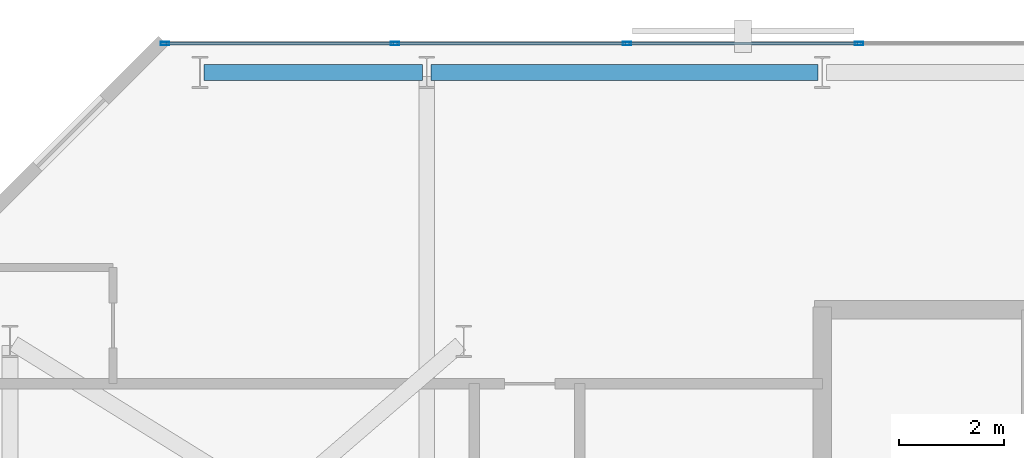
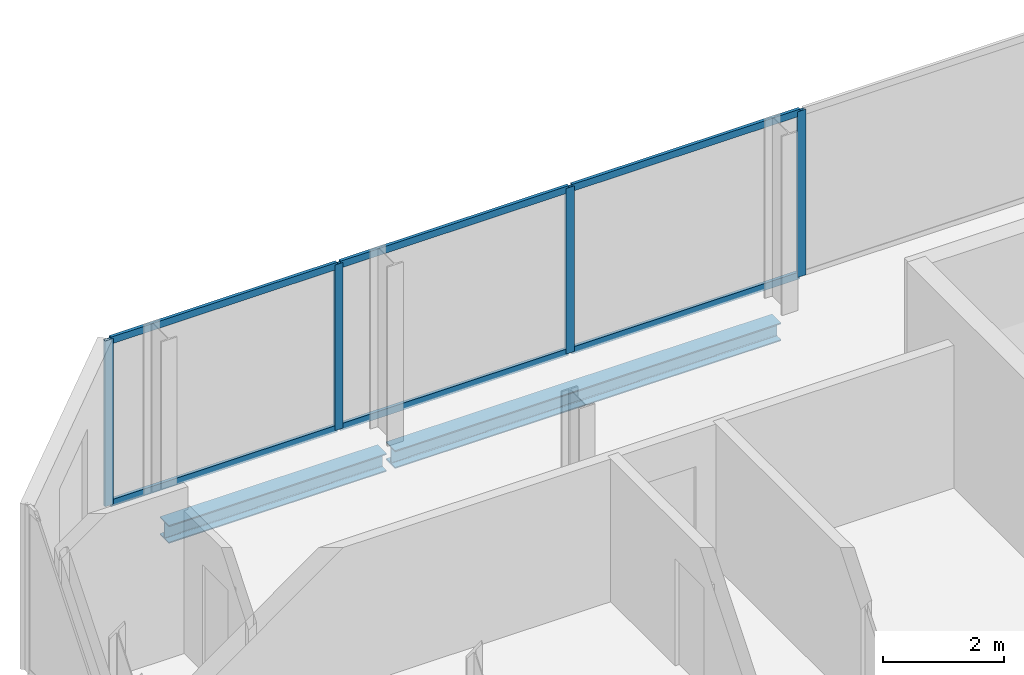
# One storey, part 19 of 32: 10 members, 2 beams, 1 element without a shape of its own.
"""IFC4 building model written with IfcOpenShell, lengths in metres."""

import ifcopenshell
import ifcopenshell.guid

model = None  # the IFC model being written
_history = None  # IfcOwnerHistory: only IFC2X3 demands one
_inside = {}  # id of a spatial element -> (the spatial element, [elements in it])
_under = {}  # id of a project, library or spatial element -> (it, [spatial elements below it])
_declared = {}  # id of a project -> (the project, [libraries it declares])
_typed = {}  # id of a type object -> (the type object, [elements of that type])
_made_of = {}  # id of a material, layer set ... -> (it, [elements and type objects made of it])


def new_model(schema):
    """Start an empty IFC model of exactly this schema.

    Asked for "IFC4X3", IfcOpenShell would pick the latest addendum, in which some entities
    have other attributes; the version numbers below select the first issue.
    IFC2X3 requires an IfcOwnerHistory on every rooted entity: one is made here for all.
    """
    global model, _history
    if schema == "IFC4X3":
        model = ifcopenshell.file(schema_version=(4, 3, 0, 0))
    else:
        model = ifcopenshell.file(schema=schema)
    _inside.clear()
    _under.clear()
    _declared.clear()
    _typed.clear()
    _made_of.clear()
    _history = None
    if model.schema == "IFC2X3":
        org = make("IfcOrganization", Name="unknown")
        user = make(
            "IfcPersonAndOrganization",
            ThePerson=make("IfcPerson", FamilyName="unknown"),
            TheOrganization=org,
        )
        app = make(
            "IfcApplication",
            ApplicationDeveloper=org,
            Version="unknown",
            ApplicationFullName="unknown",
            ApplicationIdentifier="unknown",
        )
        _history = make(
            "IfcOwnerHistory",
            OwningUser=user,
            OwningApplication=app,
            ChangeAction="ADDED",
            CreationDate=0,
        )
    return model


def make(cls, **values):
    """One entity of the class cls with the attributes given. An attribute that is None is left unset."""
    return model.create_entity(
        cls, **{name: value for name, value in values.items() if value is not None}
    )


def rooted(cls, **values):
    """An entity with a GlobalId (a new one), such as an element, a storey or a relation."""
    return make(cls, GlobalId=ifcopenshell.guid.new(), OwnerHistory=_history, **values)


def si_unit(unit_type, name, prefix=None):
    """IfcSIUnit, for example si_unit("LENGTHUNIT", "METRE", prefix="MILLI")."""
    return make("IfcSIUnit", UnitType=unit_type, Prefix=prefix, Name=name)


def assignment(units):
    """IfcUnitAssignment: the units of a project."""
    return None if units is None else make("IfcUnitAssignment", Units=units)


def point(xyz):
    """IfcCartesianPoint."""
    return None if xyz is None else make("IfcCartesianPoint", Coordinates=xyz)


def direction(xyz):
    """IfcDirection."""
    return None if xyz is None else make("IfcDirection", DirectionRatios=xyz)


def frame(location, z_axis=None, x_axis=None):
    """IfcAxis2Placement3D, a coordinate frame: its origin and axes. An axis left out is left unset."""
    return make(
        "IfcAxis2Placement3D",
        Location=point(location),
        Axis=direction(z_axis),
        RefDirection=direction(x_axis),
    )


def frame_2d(location, x_axis=None):
    """IfcAxis2Placement2D, a coordinate frame in the plane: its origin and x axis."""
    return make(
        "IfcAxis2Placement2D", Location=point(location), RefDirection=direction(x_axis)
    )


def origin():
    """The frame at (0, 0, 0) with its axes left unset."""
    return frame((0.0, 0.0, 0.0))


def origin_2d():
    """The frame at (0, 0) in the plane with its x axis left unset."""
    return frame_2d((0.0, 0.0))


def place(relative_to, where):
    """IfcLocalPlacement: puts the frame where relative to a parent placement (None: the world)."""
    return make(
        "IfcLocalPlacement", PlacementRelTo=relative_to, RelativePlacement=where
    )


def context(
    kind, dimensions, precision=None, world=None, true_north=None, identifier=None
):
    """IfcGeometricRepresentationContext, for example the 3D "Model" context."""
    return make(
        "IfcGeometricRepresentationContext",
        ContextIdentifier=identifier,
        ContextType=kind,
        CoordinateSpaceDimension=dimensions,
        Precision=precision,
        WorldCoordinateSystem=world,
        TrueNorth=true_north,
    )


def subcontext(parent, identifier, kind, view, scale=None):
    """IfcGeometricRepresentationSubContext, for example "Body" below "Model"."""
    return make(
        "IfcGeometricRepresentationSubContext",
        ContextIdentifier=identifier,
        ContextType=kind,
        ParentContext=parent,
        TargetScale=scale,
        TargetView=view,
    )


def project(units=None, contexts=None):
    """IfcProject with its units and contexts."""
    return rooted(
        "IfcProject",
        Name="project",
        RepresentationContexts=contexts,
        UnitsInContext=assignment(units),
    )


def spatial(cls, under=None, at=None, **own):
    """A site, building, storey or space (cls), placed at a placement, below another one or the project."""
    s = rooted(cls, ObjectPlacement=at, **own)
    if under is not None:
        _under.setdefault(under.id(), (under, []))[1].append(s)
    return s


def profile(cls, at=None, kind="AREA", **sizes):
    """A parametric profile (cls). Its sizes go by their IFC names, for example OverallWidth=200.0."""
    return make(cls, ProfileType=kind, Position=at, **sizes)


def hollow_rectangle(**sizes):
    """IfcRectangleHollowProfileDef."""
    return profile("IfcRectangleHollowProfileDef", **sizes)


def i_section(**sizes):
    """IfcIShapeProfileDef."""
    return profile("IfcIShapeProfileDef", **sizes)


def extrude(swept, where, along, depth):
    """IfcExtrudedAreaSolid: the profile swept, set in the frame where, extruded along a direction by depth."""
    return make(
        "IfcExtrudedAreaSolid",
        SweptArea=swept,
        Position=where,
        ExtrudedDirection=direction(along),
        Depth=depth,
    )


def shape(context_of_items, identifier, shape_type, items):
    """IfcShapeRepresentation: the items that make up one representation, for example the "Body"."""
    return make(
        "IfcShapeRepresentation",
        ContextOfItems=context_of_items,
        RepresentationIdentifier=identifier,
        RepresentationType=shape_type,
        Items=items,
    )


def material(Name=None, Category=None):
    """IfcMaterial."""
    return make("IfcMaterial", Name=Name, Category=Category)


def layer(
    of_material, thickness, ventilated=None, Name=None, Category=None, Priority=None
):
    """IfcMaterialLayer: one layer of a wall or slab, of a material (None: an air gap)."""
    return make(
        "IfcMaterialLayer",
        Material=of_material,
        LayerThickness=thickness,
        IsVentilated=ventilated,
        Name=Name,
        Category=Category,
        Priority=Priority,
    )


def layer_set(layers, Name=None):
    """IfcMaterialLayerSet."""
    return make("IfcMaterialLayerSet", MaterialLayers=layers, LayerSetName=Name)


def material_profile(
    of_material, cross_section, Name=None, Category=None, Priority=None
):
    """IfcMaterialProfile: a cross section and its material."""
    return make(
        "IfcMaterialProfile",
        Name=Name,
        Material=of_material,
        Profile=cross_section,
        Priority=Priority,
        Category=Category,
    )


def profile_set(profiles, Name=None, composite=None):
    """IfcMaterialProfileSet."""
    return make(
        "IfcMaterialProfileSet",
        Name=Name,
        MaterialProfiles=profiles,
        CompositeProfile=composite,
    )


def made_of(thing, what):
    """Note that an element or type object is made of a material, layer set ...; save() writes the relation."""
    if what is not None:
        _made_of.setdefault(what.id(), (what, []))[1].append(thing)
    return thing


def type_object(cls, material=None, **own):
    """A type object (cls), such as IfcWallType, which elements share."""
    return made_of(rooted(cls, **own), material)


def element(
    cls,
    number,
    at=None,
    inside=None,
    cuts=None,
    type_object=None,
    material=None,
    context=None,
    identifier="Body",
    shape_type=None,
    held_by="IfcProductDefinitionShape",
    body=None,
    shapes=None,
    **own,
):
    """One element of the class cls, such as IfcWall. Its Tag is "e" and its number.

    at: its placement. inside: the storey or other place that contains it. cuts: it is an
    opening in that element (IfcRelVoidsElement). A single representation is given by context,
    identifier, shape_type and body (its items); several are given by shapes. held_by: the class
    of the entity that holds the representations. save() writes the other relations.
    """
    e = rooted(cls, Tag="e%d" % number, ObjectPlacement=at, **own)
    if body is not None:
        shapes = [shape(context, identifier, shape_type, body)]
    if shapes is not None:
        e.Representation = make(held_by, Representations=shapes)
    if inside is not None:
        _inside.setdefault(inside.id(), (inside, []))[1].append(e)
    if cuts is not None:
        rooted(
            "IfcRelVoidsElement", RelatingBuildingElement=cuts, RelatedOpeningElement=e
        )
    if type_object is not None:
        _typed.setdefault(type_object.id(), (type_object, []))[1].append(e)
    return made_of(e, material)


def aggregate(whole, parts):
    """IfcRelAggregates: a whole, such as a stair, and the parts it consists of."""
    return rooted("IfcRelAggregates", RelatingObject=whole, RelatedObjects=parts)


def save(model, path):
    """Write the relations noted so far, then the file.

    IfcRelAggregates (storeys below a building ...), IfcRelContainedInSpatialStructure (elements
    in a storey), IfcRelDefinesByType, IfcRelAssociatesMaterial and IfcRelDeclares: one each for
    every whole, place, type object, material and project.
    """
    for whole, parts in _under.values():
        aggregate(whole, parts)
    for where, things in _inside.values():
        rooted(
            "IfcRelContainedInSpatialStructure",
            RelatedElements=things,
            RelatingStructure=where,
        )
    for kind, things in _typed.values():
        rooted("IfcRelDefinesByType", RelatedObjects=things, RelatingType=kind)
    for what, things in _made_of.values():
        rooted("IfcRelAssociatesMaterial", RelatedObjects=things, RelatingMaterial=what)
    for by, libraries in _declared.values():
        rooted("IfcRelDeclares", RelatingContext=by, RelatedDefinitions=libraries)
    model.write(path)


model = new_model("IFC4")

# Units and contexts
model_context = context("Model", 3, precision=1e-05, world=origin(), true_north=direction((0.0, 1.0)))
body_context = subcontext(model_context, "Body", "Model", "MODEL_VIEW")
ifc_project = project(units=[si_unit("LENGTHUNIT", "METRE"), si_unit("AREAUNIT", "SQUARE_METRE"), si_unit("VOLUMEUNIT", "CUBIC_METRE"), si_unit("PLANEANGLEUNIT", "RADIAN"), si_unit("MASSUNIT", "GRAM", prefix="KILO")], contexts=[model_context])

# Site, building, storey
site_placement = place(None, origin())
site = spatial("IfcSite", under=ifc_project, at=site_placement, CompositionType="ELEMENT")
building_placement = place(site_placement, origin())
building = spatial("IfcBuilding", under=site, at=building_placement, Name="Catumbela Crestline Tower", CompositionType="ELEMENT")
storey_placement = place(building_placement, frame((0.0, 0.0, 126.0)))
storey = spatial("IfcBuildingStorey", under=building, at=storey_placement, Name="L32", CompositionType="ELEMENT", Elevation=126.0)

# Curtain wall, members
ifc_material_1 = material(Name="Aluminium alloy AW-6060-T66", Category="aluminium")
ifc_layer = layer(ifc_material_1, 0.18, Name="Aluminium alloy AW-6060-T66")
ifc_layer_set = layer_set([ifc_layer], Name="Aluminium alloy AW-6060-T66")
curtain_wall_type = type_object("IfcCurtainWallType", Name="CWU-Z2", PredefinedType="USERDEFINED", material=ifc_layer_set)
curtain_wall_placement = place(storey_placement, origin())
curtain_wall = element("IfcCurtainWall", 1, at=curtain_wall_placement, inside=storey, type_object=curtain_wall_type, Name="L32 Unitised Curtain Wall CW-L32-E7S1", ObjectType="UNITISED", PredefinedType="USERDEFINED")
ifc_material_profile_1 = material_profile(ifc_material_1, hollow_rectangle(XDim=0.06, YDim=0.16, WallThickness=0.004, at=origin_2d()), Name="ALU 160x60x4")
ifc_profile_set_1 = profile_set([ifc_material_profile_1], Name="Aluminium alloy AW-6060-T66")
member_type_1 = type_object("IfcMemberType", Name="MUL-160X60", PredefinedType="MULLION", material=ifc_profile_set_1)
member_1_placement = place(storey_placement, frame((16.7, 47.95, 0.0), z_axis=(0.0, 0.0, 1.0), x_axis=(0.0, -1.0, 0.0)))
member_1 = element("IfcMember", 2, at=member_1_placement, type_object=member_type_1, Name="CWU-Z2 mullion 8", PredefinedType="MULLION", context=body_context, shape_type="SweptSolid", body=[
    extrude(hollow_rectangle(XDim=0.06, YDim=0.16, WallThickness=0.004, at=origin_2d()), origin(), (0.0, 0.0, 1.0), 3.33),
])
member_2_placement = place(storey_placement, frame((12.3, 47.95, 0.0), z_axis=(0.0, 0.0, 1.0), x_axis=(0.0, -1.0, 0.0)))
member_2 = element("IfcMember", 3, at=member_2_placement, type_object=member_type_1, Name="CWU-Z2 mullion 9", PredefinedType="MULLION", context=body_context, shape_type="SweptSolid", body=[
    extrude(hollow_rectangle(XDim=0.06, YDim=0.16, WallThickness=0.004, at=origin_2d()), origin(), (0.0, 0.0, 1.0), 3.33),
])
member_3_placement = place(storey_placement, frame((7.9, 47.95, 0.0), z_axis=(0.0, 0.0, 1.0), x_axis=(0.0, -1.0, 0.0)))
member_3 = element("IfcMember", 4, at=member_3_placement, type_object=member_type_1, Name="CWU-Z2 mullion 10", PredefinedType="MULLION", context=body_context, shape_type="SweptSolid", body=[
    extrude(hollow_rectangle(XDim=0.06, YDim=0.16, WallThickness=0.004, at=origin_2d()), origin(), (0.0, 0.0, 1.0), 3.33),
])
member_4_placement = place(storey_placement, frame((3.5325, 47.95, 0.0), z_axis=(0.0, 0.0, 1.0), x_axis=(0.0, -1.0, 0.0)))
member_4 = element("IfcMember", 5, at=member_4_placement, type_object=member_type_1, Name="CWU-Z2 mullion 11", PredefinedType="MULLION", context=body_context, shape_type="SweptSolid", body=[
    extrude(hollow_rectangle(XDim=0.06, YDim=0.16, WallThickness=0.004, at=origin_2d()), origin(), (0.0, 0.0, 1.0), 3.33),
])

# Beams
ifc_material_2 = material(Name="Structural steel S355J2", Category="steel")
ifc_material_profile_2 = material_profile(ifc_material_2, i_section(OverallWidth=0.3, OverallDepth=0.36, WebThickness=0.0125, FlangeThickness=0.0225, FilletRadius=0.027, at=origin_2d()), Name="HEB 360")
ifc_profile_set_2 = profile_set([ifc_material_profile_2], Name="Structural steel S355J2")
beam_type = type_object("IfcBeamType", Name="BS-HEB360", PredefinedType="SPANDREL", material=ifc_profile_set_2)
beam_1_placement = place(storey_placement, frame((4.28, 47.4, -0.44), z_axis=(1.0, 0.0, 0.0), x_axis=(0.0, 1.0, 0.0)))
element("IfcBeam", 6, at=beam_1_placement, inside=storey, type_object=beam_type, Name="L32 Spandrel SP-L32-NF17", PredefinedType="SPANDREL", context=body_context, shape_type="SweptSolid", body=[
    extrude(i_section(OverallWidth=0.3, OverallDepth=0.36, WebThickness=0.0125, FlangeThickness=0.0225, FilletRadius=0.027, at=origin_2d()), origin(), (0.0, 0.0, 1.0), 4.14),
])
beam_2_placement = place(storey_placement, frame((8.58, 47.4, -0.44), z_axis=(1.0, 0.0, 0.0), x_axis=(0.0, 1.0, 0.0)))
element("IfcBeam", 7, at=beam_2_placement, inside=storey, type_object=beam_type, Name="L32 Spandrel SP-L32-NF18", PredefinedType="SPANDREL", context=body_context, shape_type="SweptSolid", body=[
    extrude(i_section(OverallWidth=0.3, OverallDepth=0.36, WebThickness=0.0125, FlangeThickness=0.0225, FilletRadius=0.027, at=origin_2d()), origin(), (0.0, 0.0, 1.0), 7.34),
])

# Member
ifc_material_profile_3 = material_profile(ifc_material_1, hollow_rectangle(XDim=0.06, YDim=0.14, WallThickness=0.004, at=origin_2d()), Name="ALU 140x60x4")
ifc_profile_set_3 = profile_set([ifc_material_profile_3], Name="Aluminium alloy AW-6060-T66")
member_type_2 = type_object("IfcMemberType", Name="TRN-140X60", PredefinedType="USERDEFINED", material=ifc_profile_set_3)
member_5_placement = place(storey_placement, frame((16.6675, 47.95, 0.03), z_axis=(-1.0, 0.0, 0.0), x_axis=(0.0, -1.0, 0.0)))
member_5 = element("IfcMember", 8, at=member_5_placement, type_object=member_type_2, Name="CWU-Z2 transom 8.1", ObjectType="TRANSOM", PredefinedType="USERDEFINED", context=body_context, shape_type="SweptSolid", body=[
    extrude(hollow_rectangle(XDim=0.06, YDim=0.14, WallThickness=0.004, at=origin_2d()), origin(), (0.0, 0.0, 1.0), 4.335),
])

member_6_placement = place(storey_placement, frame((16.6675, 47.95, 3.3), z_axis=(-1.0, 0.0, 0.0), x_axis=(0.0, -1.0, 0.0)))
member_6 = element("IfcMember", 9, at=member_6_placement, type_object=member_type_2, Name="CWU-Z2 transom 8.2", ObjectType="TRANSOM", PredefinedType="USERDEFINED", context=body_context, shape_type="SweptSolid", body=[
    extrude(hollow_rectangle(XDim=0.06, YDim=0.14, WallThickness=0.004, at=origin_2d()), origin(), (0.0, 0.0, 1.0), 4.335),
])

member_7_placement = place(storey_placement, frame((12.2675, 47.95, 0.03), z_axis=(-1.0, 0.0, 0.0), x_axis=(0.0, -1.0, 0.0)))
member_7 = element("IfcMember", 10, at=member_7_placement, type_object=member_type_2, Name="CWU-Z2 transom 9.1", ObjectType="TRANSOM", PredefinedType="USERDEFINED", context=body_context, shape_type="SweptSolid", body=[
    extrude(hollow_rectangle(XDim=0.06, YDim=0.14, WallThickness=0.004, at=origin_2d()), origin(), (0.0, 0.0, 1.0), 4.335),
])

member_8_placement = place(storey_placement, frame((12.2675, 47.95, 3.3), z_axis=(-1.0, 0.0, 0.0), x_axis=(0.0, -1.0, 0.0)))
member_8 = element("IfcMember", 11, at=member_8_placement, type_object=member_type_2, Name="CWU-Z2 transom 9.2", ObjectType="TRANSOM", PredefinedType="USERDEFINED", context=body_context, shape_type="SweptSolid", body=[
    extrude(hollow_rectangle(XDim=0.06, YDim=0.14, WallThickness=0.004, at=origin_2d()), origin(), (0.0, 0.0, 1.0), 4.335),
])

member_9_placement = place(storey_placement, frame((7.8675, 47.95, 0.03), z_axis=(-1.0, 0.0, 0.0), x_axis=(0.0, -1.0, 0.0)))
member_9 = element("IfcMember", 12, at=member_9_placement, type_object=member_type_2, Name="CWU-Z2 transom 10.1", ObjectType="TRANSOM", PredefinedType="USERDEFINED", context=body_context, shape_type="SweptSolid", body=[
    extrude(hollow_rectangle(XDim=0.06, YDim=0.14, WallThickness=0.004, at=origin_2d()), origin(), (0.0, 0.0, 1.0), 4.3025),
])

member_10_placement = place(storey_placement, frame((7.8675, 47.95, 3.3), z_axis=(-1.0, 0.0, 0.0), x_axis=(0.0, -1.0, 0.0)))
member_10 = element("IfcMember", 13, at=member_10_placement, type_object=member_type_2, Name="CWU-Z2 transom 10.2", ObjectType="TRANSOM", PredefinedType="USERDEFINED", context=body_context, shape_type="SweptSolid", body=[
    extrude(hollow_rectangle(XDim=0.06, YDim=0.14, WallThickness=0.004, at=origin_2d()), origin(), (0.0, 0.0, 1.0), 4.3025),
])

aggregate(curtain_wall, [member_1, member_2, member_3, member_4, member_5, member_6, member_7, member_8, member_9, member_10])

save(model, "model.ifc")
